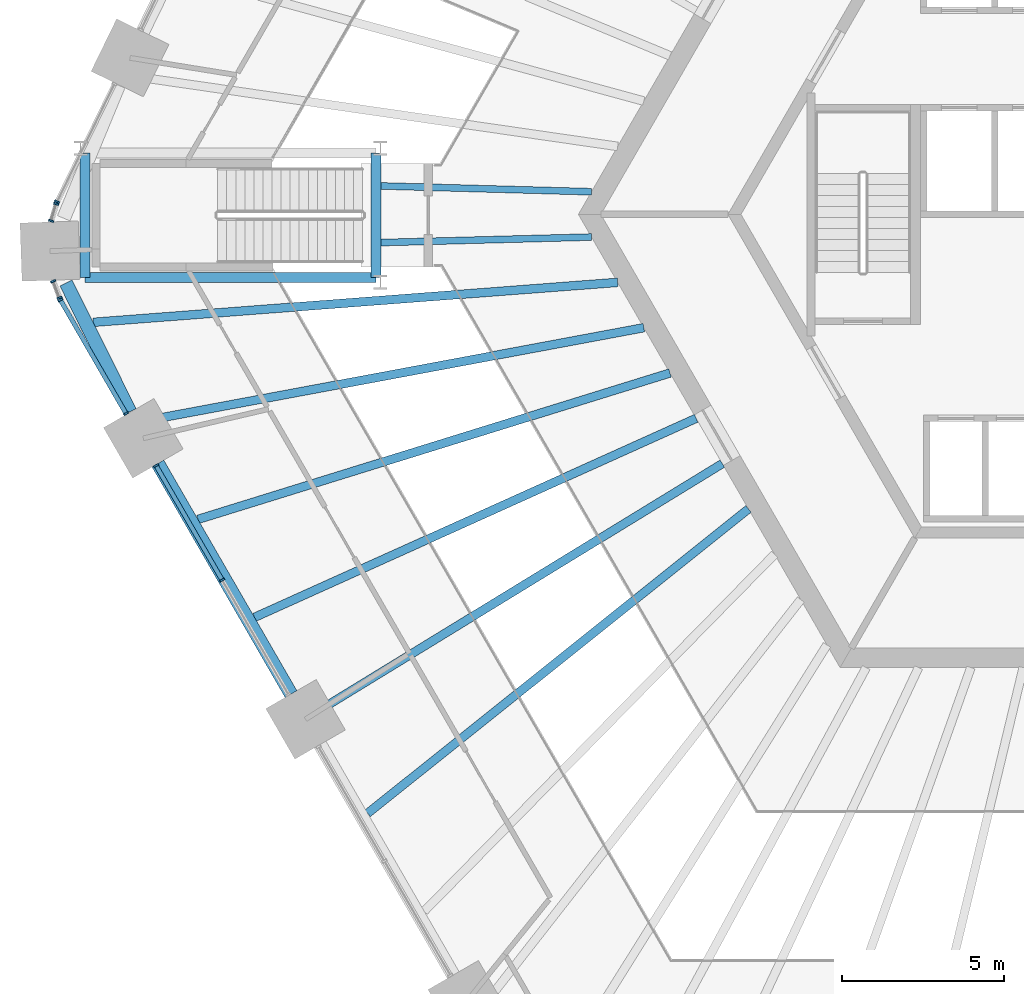
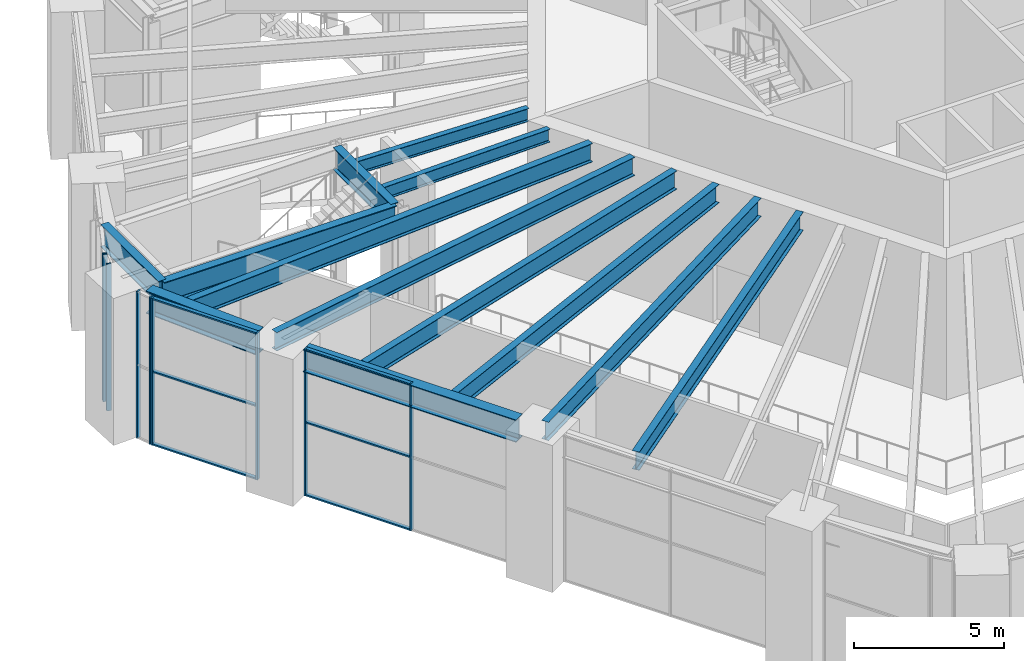
# One storey, part 4 of 32: 15 members, 13 beams, 5 elements without a shape of their own.
"""IFC4 building model written with IfcOpenShell, lengths in metres."""

import ifcopenshell
import ifcopenshell.guid

model = None  # the IFC model being written
_history = None  # IfcOwnerHistory: only IFC2X3 demands one
_inside = {}  # id of a spatial element -> (the spatial element, [elements in it])
_under = {}  # id of a project, library or spatial element -> (it, [spatial elements below it])
_declared = {}  # id of a project -> (the project, [libraries it declares])
_typed = {}  # id of a type object -> (the type object, [elements of that type])
_made_of = {}  # id of a material, layer set ... -> (it, [elements and type objects made of it])


def new_model(schema):
    """Start an empty IFC model of exactly this schema.

    Asked for "IFC4X3", IfcOpenShell would pick the latest addendum, in which some entities
    have other attributes; the version numbers below select the first issue.
    IFC2X3 requires an IfcOwnerHistory on every rooted entity: one is made here for all.
    """
    global model, _history
    if schema == "IFC4X3":
        model = ifcopenshell.file(schema_version=(4, 3, 0, 0))
    else:
        model = ifcopenshell.file(schema=schema)
    _inside.clear()
    _under.clear()
    _declared.clear()
    _typed.clear()
    _made_of.clear()
    _history = None
    if model.schema == "IFC2X3":
        org = make("IfcOrganization", Name="unknown")
        user = make(
            "IfcPersonAndOrganization",
            ThePerson=make("IfcPerson", FamilyName="unknown"),
            TheOrganization=org,
        )
        app = make(
            "IfcApplication",
            ApplicationDeveloper=org,
            Version="unknown",
            ApplicationFullName="unknown",
            ApplicationIdentifier="unknown",
        )
        _history = make(
            "IfcOwnerHistory",
            OwningUser=user,
            OwningApplication=app,
            ChangeAction="ADDED",
            CreationDate=0,
        )
    return model


def make(cls, **values):
    """One entity of the class cls with the attributes given. An attribute that is None is left unset."""
    return model.create_entity(
        cls, **{name: value for name, value in values.items() if value is not None}
    )


def rooted(cls, **values):
    """An entity with a GlobalId (a new one), such as an element, a storey or a relation."""
    return make(cls, GlobalId=ifcopenshell.guid.new(), OwnerHistory=_history, **values)


def si_unit(unit_type, name, prefix=None):
    """IfcSIUnit, for example si_unit("LENGTHUNIT", "METRE", prefix="MILLI")."""
    return make("IfcSIUnit", UnitType=unit_type, Prefix=prefix, Name=name)


def assignment(units):
    """IfcUnitAssignment: the units of a project."""
    return None if units is None else make("IfcUnitAssignment", Units=units)


def point(xyz):
    """IfcCartesianPoint."""
    return None if xyz is None else make("IfcCartesianPoint", Coordinates=xyz)


def direction(xyz):
    """IfcDirection."""
    return None if xyz is None else make("IfcDirection", DirectionRatios=xyz)


def frame(location, z_axis=None, x_axis=None):
    """IfcAxis2Placement3D, a coordinate frame: its origin and axes. An axis left out is left unset."""
    return make(
        "IfcAxis2Placement3D",
        Location=point(location),
        Axis=direction(z_axis),
        RefDirection=direction(x_axis),
    )


def frame_2d(location, x_axis=None):
    """IfcAxis2Placement2D, a coordinate frame in the plane: its origin and x axis."""
    return make(
        "IfcAxis2Placement2D", Location=point(location), RefDirection=direction(x_axis)
    )


def origin():
    """The frame at (0, 0, 0) with its axes left unset."""
    return frame((0.0, 0.0, 0.0))


def origin_2d():
    """The frame at (0, 0) in the plane with its x axis left unset."""
    return frame_2d((0.0, 0.0))


def place(relative_to, where):
    """IfcLocalPlacement: puts the frame where relative to a parent placement (None: the world)."""
    return make(
        "IfcLocalPlacement", PlacementRelTo=relative_to, RelativePlacement=where
    )


def context(
    kind, dimensions, precision=None, world=None, true_north=None, identifier=None
):
    """IfcGeometricRepresentationContext, for example the 3D "Model" context."""
    return make(
        "IfcGeometricRepresentationContext",
        ContextIdentifier=identifier,
        ContextType=kind,
        CoordinateSpaceDimension=dimensions,
        Precision=precision,
        WorldCoordinateSystem=world,
        TrueNorth=true_north,
    )


def subcontext(parent, identifier, kind, view, scale=None):
    """IfcGeometricRepresentationSubContext, for example "Body" below "Model"."""
    return make(
        "IfcGeometricRepresentationSubContext",
        ContextIdentifier=identifier,
        ContextType=kind,
        ParentContext=parent,
        TargetScale=scale,
        TargetView=view,
    )


def project(units=None, contexts=None):
    """IfcProject with its units and contexts."""
    return rooted(
        "IfcProject",
        Name="project",
        RepresentationContexts=contexts,
        UnitsInContext=assignment(units),
    )


def spatial(cls, under=None, at=None, **own):
    """A site, building, storey or space (cls), placed at a placement, below another one or the project."""
    s = rooted(cls, ObjectPlacement=at, **own)
    if under is not None:
        _under.setdefault(under.id(), (under, []))[1].append(s)
    return s


def profile(cls, at=None, kind="AREA", **sizes):
    """A parametric profile (cls). Its sizes go by their IFC names, for example OverallWidth=200.0."""
    return make(cls, ProfileType=kind, Position=at, **sizes)


def rectangle(**sizes):
    """IfcRectangleProfileDef."""
    return profile("IfcRectangleProfileDef", **sizes)


def i_section(**sizes):
    """IfcIShapeProfileDef."""
    return profile("IfcIShapeProfileDef", **sizes)


def extrude(swept, where, along, depth):
    """IfcExtrudedAreaSolid: the profile swept, set in the frame where, extruded along a direction by depth."""
    return make(
        "IfcExtrudedAreaSolid",
        SweptArea=swept,
        Position=where,
        ExtrudedDirection=direction(along),
        Depth=depth,
    )


def shape(context_of_items, identifier, shape_type, items):
    """IfcShapeRepresentation: the items that make up one representation, for example the "Body"."""
    return make(
        "IfcShapeRepresentation",
        ContextOfItems=context_of_items,
        RepresentationIdentifier=identifier,
        RepresentationType=shape_type,
        Items=items,
    )


def material(Name=None, Category=None):
    """IfcMaterial."""
    return make("IfcMaterial", Name=Name, Category=Category)


def material_profile(
    of_material, cross_section, Name=None, Category=None, Priority=None
):
    """IfcMaterialProfile: a cross section and its material."""
    return make(
        "IfcMaterialProfile",
        Name=Name,
        Material=of_material,
        Profile=cross_section,
        Priority=Priority,
        Category=Category,
    )


def profile_set(profiles, Name=None, composite=None):
    """IfcMaterialProfileSet."""
    return make(
        "IfcMaterialProfileSet",
        Name=Name,
        MaterialProfiles=profiles,
        CompositeProfile=composite,
    )


def made_of(thing, what):
    """Note that an element or type object is made of a material, layer set ...; save() writes the relation."""
    if what is not None:
        _made_of.setdefault(what.id(), (what, []))[1].append(thing)
    return thing


def type_object(cls, material=None, **own):
    """A type object (cls), such as IfcWallType, which elements share."""
    return made_of(rooted(cls, **own), material)


def element(
    cls,
    number,
    at=None,
    inside=None,
    cuts=None,
    type_object=None,
    material=None,
    context=None,
    identifier="Body",
    shape_type=None,
    held_by="IfcProductDefinitionShape",
    body=None,
    shapes=None,
    **own,
):
    """One element of the class cls, such as IfcWall. Its Tag is "e" and its number.

    at: its placement. inside: the storey or other place that contains it. cuts: it is an
    opening in that element (IfcRelVoidsElement). A single representation is given by context,
    identifier, shape_type and body (its items); several are given by shapes. held_by: the class
    of the entity that holds the representations. save() writes the other relations.
    """
    e = rooted(cls, Tag="e%d" % number, ObjectPlacement=at, **own)
    if body is not None:
        shapes = [shape(context, identifier, shape_type, body)]
    if shapes is not None:
        e.Representation = make(held_by, Representations=shapes)
    if inside is not None:
        _inside.setdefault(inside.id(), (inside, []))[1].append(e)
    if cuts is not None:
        rooted(
            "IfcRelVoidsElement", RelatingBuildingElement=cuts, RelatedOpeningElement=e
        )
    if type_object is not None:
        _typed.setdefault(type_object.id(), (type_object, []))[1].append(e)
    return made_of(e, material)


def aggregate(whole, parts):
    """IfcRelAggregates: a whole, such as a stair, and the parts it consists of."""
    return rooted("IfcRelAggregates", RelatingObject=whole, RelatedObjects=parts)


def save(model, path):
    """Write the relations noted so far, then the file.

    IfcRelAggregates (storeys below a building ...), IfcRelContainedInSpatialStructure (elements
    in a storey), IfcRelDefinesByType, IfcRelAssociatesMaterial and IfcRelDeclares: one each for
    every whole, place, type object, material and project.
    """
    for whole, parts in _under.values():
        aggregate(whole, parts)
    for where, things in _inside.values():
        rooted(
            "IfcRelContainedInSpatialStructure",
            RelatedElements=things,
            RelatingStructure=where,
        )
    for kind, things in _typed.values():
        rooted("IfcRelDefinesByType", RelatedObjects=things, RelatingType=kind)
    for what, things in _made_of.values():
        rooted("IfcRelAssociatesMaterial", RelatedObjects=things, RelatingMaterial=what)
    for by, libraries in _declared.values():
        rooted("IfcRelDeclares", RelatingContext=by, RelatedDefinitions=libraries)
    model.write(path)


model = new_model("IFC4")

# Units and contexts
model_context = context("Model", 3, precision=1e-05, world=origin(), true_north=direction((0.0, 1.0)))
body_context = subcontext(model_context, "Body", "Model", "MODEL_VIEW")
ifc_project = project(units=[si_unit("LENGTHUNIT", "METRE"), si_unit("AREAUNIT", "SQUARE_METRE"), si_unit("VOLUMEUNIT", "CUBIC_METRE"), si_unit("PLANEANGLEUNIT", "RADIAN"), si_unit("MASSUNIT", "GRAM", prefix="KILO")], contexts=[model_context])

# Site, building, storey
site_placement = place(None, origin())
site = spatial("IfcSite", under=ifc_project, at=site_placement, CompositionType="ELEMENT")
building_placement = place(site_placement, origin())
building = spatial("IfcBuilding", under=site, at=building_placement, Name="Tarnside Tower", CompositionType="ELEMENT")
storey_placement = place(building_placement, frame((0.0, 0.0, 9.0)))
storey = spatial("IfcBuildingStorey", under=building, at=storey_placement, Name="L01", CompositionType="ELEMENT", Elevation=9.0)

# Beams
ifc_material_1 = material(Name="Steel S355", Category="steel")
ifc_material_profile_1 = material_profile(ifc_material_1, i_section(OverallWidth=0.209228515625, OverallDepth=0.533203125, WebThickness=0.010009765625, FlangeThickness=0.015625, FilletRadius=0.0126953125, at=origin_2d()), Name="UB 533x210x92")
ifc_profile_set_1 = profile_set([ifc_material_profile_1], Name="Steel S355")
beam_type_1 = type_object("IfcBeamType", Name="Floor beam UB 533x210x92", PredefinedType="BEAM", material=ifc_profile_set_1)
beam_1_placement = place(storey_placement, frame((-22.272216796875, 0.87890625, 5.4833984375), z_axis=(0.999622442049, -0.027476778416, 0.0), x_axis=(0.027476778416, 0.999622442049, 0.0)))
element("IfcBeam", 1, at=beam_1_placement, inside=storey, type_object=beam_type_1, Name="Floor beam F2.09", PredefinedType="BEAM", context=body_context, shape_type="SweptSolid", body=[
    extrude(i_section(OverallWidth=0.209228515625, OverallDepth=0.533203125, WebThickness=0.010009765625, FlangeThickness=0.015625, FilletRadius=0.0126953125, at=origin_2d()), origin(), (0.0, 0.0, 1.0), 6.512939453125),
])
beam_2_placement = place(storey_placement, frame((-22.272216796875, -0.87109375, 5.4833984375), z_axis=(0.99965467127, 0.026278093695, 0.0), x_axis=(-0.026278093695, 0.99965467127, 0.0)))
element("IfcBeam", 2, at=beam_2_placement, inside=storey, type_object=beam_type_1, Name="Floor beam C2", PredefinedType="BEAM", context=body_context, shape_type="SweptSolid", body=[
    extrude(i_section(OverallWidth=0.209228515625, OverallDepth=0.533203125, WebThickness=0.010009765625, FlangeThickness=0.015625, FilletRadius=0.0126953125, at=origin_2d()), origin(), (0.0, 0.0, 1.0), 6.5126953125),
])
ifc_material_profile_2 = material_profile(ifc_material_1, i_section(OverallWidth=0.26513671875, OverallDepth=0.75390625, WebThickness=0.0126953125, FlangeThickness=0.017578125, FilletRadius=0.0166015625, at=origin_2d()), Name="UB 762x267x147")
ifc_profile_set_2 = profile_set([ifc_material_profile_2], Name="Steel S355")
beam_type_2 = type_object("IfcBeamType", Name="Floor beam UB 762x267x147", PredefinedType="BEAM", material=ifc_profile_set_2)
beam_3_placement = place(storey_placement, frame((-29.635498046875, -6.389892578125, 5.373046875), z_axis=(0.983039284809, 0.183395104955, 0.0), x_axis=(-0.183395104955, 0.983039284809, 0.0)))
element("IfcBeam", 3, at=beam_3_placement, inside=storey, type_object=beam_type_2, Name="Floor beam F3.02", PredefinedType="BEAM", context=body_context, shape_type="SweptSolid", body=[
    extrude(i_section(OverallWidth=0.26513671875, OverallDepth=0.75390625, WebThickness=0.0126953125, FlangeThickness=0.017578125, FilletRadius=0.0166015625, at=origin_2d()), origin(), (0.0, 0.0, 1.0), 15.7578125),
])
beam_4_placement = place(storey_placement, frame((-27.919189453125, -9.422119140625, 5.373046875), z_axis=(0.955125617377, 0.2962010382, 0.0), x_axis=(-0.2962010382, 0.955125617377, 0.0)))
element("IfcBeam", 4, at=beam_4_placement, inside=storey, type_object=beam_type_2, Name="Floor beam F3.03", PredefinedType="BEAM", context=body_context, shape_type="SweptSolid", body=[
    extrude(i_section(OverallWidth=0.26513671875, OverallDepth=0.75390625, WebThickness=0.0126953125, FlangeThickness=0.017578125, FilletRadius=0.0166015625, at=origin_2d()), origin(), (0.0, 0.0, 1.0), 15.267333984375),
])
beam_5_placement = place(storey_placement, frame((-26.171875, -12.44873046875, 5.373046875), z_axis=(0.911691503599, 0.410875409662, 0.0), x_axis=(-0.410875409662, 0.911691503599, 0.0)))
element("IfcBeam", 5, at=beam_5_placement, inside=storey, type_object=beam_type_2, Name="Floor beam F3.04", PredefinedType="BEAM", context=body_context, shape_type="SweptSolid", body=[
    extrude(i_section(OverallWidth=0.26513671875, OverallDepth=0.75390625, WebThickness=0.0126953125, FlangeThickness=0.017578125, FilletRadius=0.0166015625, at=origin_2d()), origin(), (0.0, 0.0, 1.0), 14.96484375),
])
beam_6_placement = place(storey_placement, frame((-24.42431640625, -15.47509765625, 5.373046875), z_axis=(0.852937246249, 0.522013461475, 0.0), x_axis=(-0.522013461475, 0.852937246249, 0.0)))
element("IfcBeam", 6, at=beam_6_placement, inside=storey, type_object=beam_type_2, Name="Floor beam F3.05", PredefinedType="BEAM", context=body_context, shape_type="SweptSolid", body=[
    extrude(i_section(OverallWidth=0.26513671875, OverallDepth=0.75390625, WebThickness=0.0126953125, FlangeThickness=0.017578125, FilletRadius=0.0166015625, at=origin_2d()), origin(), (0.0, 0.0, 1.0), 14.89453125),
])
beam_7_placement = place(storey_placement, frame((-22.677001953125, -18.501708984375, 5.373046875), z_axis=(0.78120872965, 0.62426991015, 0.0), x_axis=(-0.62426991015, 0.78120872965, 0.0)))
element("IfcBeam", 7, at=beam_7_placement, inside=storey, type_object=beam_type_2, Name="Floor beam F3.06", PredefinedType="BEAM", context=body_context, shape_type="SweptSolid", body=[
    extrude(i_section(OverallWidth=0.26513671875, OverallDepth=0.75390625, WebThickness=0.0126953125, FlangeThickness=0.017578125, FilletRadius=0.0166015625, at=origin_2d()), origin(), (0.0, 0.0, 1.0), 15.06005859375),
])
ifc_material_profile_3 = material_profile(ifc_material_1, i_section(OverallWidth=0.2666015625, OverallDepth=0.76220703125, WebThickness=0.014404296875, FlangeThickness=0.021484375, FilletRadius=0.0166015625, at=origin_2d()), Name="UB 762x267x173")
ifc_profile_set_3 = profile_set([ifc_material_profile_3], Name="Steel S355")
beam_type_3 = type_object("IfcBeamType", Name="Floor beam UB 762x267x173", PredefinedType="BEAM", material=ifc_profile_set_3)
beam_8_placement = place(storey_placement, frame((-31.15625, -3.33447265625, 5.368896484375), z_axis=(0.997110688509, 0.075962325269, 0.0), x_axis=(-0.075962325269, 0.997110688509, 0.0)))
element("IfcBeam", 8, at=beam_8_placement, inside=storey, type_object=beam_type_3, Name="Floor beam F3.01", PredefinedType="BEAM", context=body_context, shape_type="SweptSolid", body=[
    extrude(i_section(OverallWidth=0.2666015625, OverallDepth=0.76220703125, WebThickness=0.014404296875, FlangeThickness=0.021484375, FilletRadius=0.0166015625, at=origin_2d()), origin(), (0.0, 0.0, 1.0), 16.249755859375),
])
ifc_material_profile_4 = material_profile(ifc_material_1, i_section(OverallWidth=0.3076171875, OverallDepth=0.926513671875, WebThickness=0.01953125, FlangeThickness=0.031982421875, FilletRadius=0.01904296875, at=origin_2d()), Name="UB 914x305x289")
ifc_profile_set_4 = profile_set([ifc_material_profile_4], Name="Steel S355")
beam_type_4 = type_object("IfcBeamType", Name="Perimeter girder UB 914x305x289", PredefinedType="BEAM", material=ifc_profile_set_4)
for number, where, z_axis, x_axis, name in (
    (9, (-31.40380859375, -1.953857421875, 5.28662109375), (0.0, 1.0, 0.0), (-1.0, 0.0, 0.0), "Perimeter girder T5"),
    (10, (-22.426025390625, 1.90380859375, 5.28662109375), (0.0, -1.0, 0.0), (1.0, 0.0, 0.0), "Perimeter girder T7"),
):
    element("IfcBeam", number, at=place(storey_placement, frame(where, z_axis=z_axis, x_axis=x_axis)), inside=storey, type_object=beam_type_4, Name=name, PredefinedType="BEAM", context=body_context, shape_type="SweptSolid", body=[
        extrude(i_section(OverallWidth=0.3076171875, OverallDepth=0.926513671875, WebThickness=0.01953125, FlangeThickness=0.031982421875, FilletRadius=0.01904296875, at=origin_2d()), origin(), (0.0, 0.0, 1.0), 3.857666015625),
    ])
beam_9_placement = place(storey_placement, frame((-22.426025390625, -1.953857421875, 5.28662109375), z_axis=(-1.0, 0.0, 0.0), x_axis=(0.0, -1.0, 0.0)))
element("IfcBeam", 11, at=beam_9_placement, inside=storey, type_object=beam_type_4, Name="Perimeter girder T8", PredefinedType="BEAM", context=body_context, shape_type="SweptSolid", body=[
    extrude(i_section(OverallWidth=0.3076171875, OverallDepth=0.926513671875, WebThickness=0.01953125, FlangeThickness=0.031982421875, FilletRadius=0.01904296875, at=origin_2d()), origin(), (0.0, 0.0, 1.0), 8.977783203125),
])
ifc_material_2 = material(Name="Steel S460", Category="steel")
ifc_material_profile_5 = material_profile(ifc_material_2, i_section(OverallWidth=0.42041015625, OverallDepth=0.9208984375, WebThickness=0.021484375, FlangeThickness=0.03662109375, FilletRadius=0.024169921875, at=origin_2d()), Name="UB 914x419x388")
ifc_profile_set_5 = profile_set([ifc_material_profile_5], Name="Steel S460")
beam_type_5 = type_object("IfcBeamType", Name="Perimeter girder UB 914x419x388", PredefinedType="BEAM", material=ifc_profile_set_5)
beam_10_placement = place(storey_placement, frame((-31.995849609375, -2.119140625, 5.28955078125), z_axis=(0.44551934757, -0.895272311055, 0.0), x_axis=(0.895272311055, 0.44551934757, 0.0)))
element("IfcBeam", 12, at=beam_10_placement, inside=storey, type_object=beam_type_5, Name="Perimeter girder M08", PredefinedType="BEAM", context=body_context, shape_type="SweptSolid", body=[
    extrude(i_section(OverallWidth=0.42041015625, OverallDepth=0.9208984375, WebThickness=0.021484375, FlangeThickness=0.03662109375, FilletRadius=0.024169921875, at=origin_2d()), origin(), (0.0, 0.0, 1.0), 4.4404296875),
])
beam_11_placement = place(storey_placement, frame((-29.15771484375, -7.697509765625, 5.28955078125), z_axis=(0.500002567197, -0.866023921607, 0.0), x_axis=(0.866023921607, 0.500002567197, 0.0)))
element("IfcBeam", 13, at=beam_11_placement, inside=storey, type_object=beam_type_5, Name="Perimeter girder M09", PredefinedType="BEAM", context=body_context, shape_type="SweptSolid", body=[
    extrude(i_section(OverallWidth=0.42041015625, OverallDepth=0.9208984375, WebThickness=0.021484375, FlangeThickness=0.03662109375, FilletRadius=0.024169921875, at=origin_2d()), origin(), (0.0, 0.0, 1.0), 8.2236328125),
])

# Curtain wall, member
ifc_material_3 = material(Name="Retail shopfront glazing wall", Category="glass")
curtain_wall_type = type_object("IfcCurtainWallType", Name="Retail shopfront glazing wall", PredefinedType="NOTDEFINED", material=ifc_material_3)
curtain_wall_1_placement = place(storey_placement, origin())
curtain_wall_1 = element("IfcCurtainWall", 14, at=curtain_wall_1_placement, inside=storey, type_object=curtain_wall_type, Name="Retail shopfront glazing L01 06.0", PredefinedType="NOTDEFINED")
ifc_material_4 = material(Name="Aluminium alloy 6063", Category="aluminium")
ifc_material_profile_6 = material_profile(ifc_material_4, rectangle(XDim=0.159912109375, YDim=0.06005859375, at=origin_2d()), Name="Retail shopfront glazing mullion 60 x 160")
ifc_profile_set_6 = profile_set([ifc_material_profile_6], Name="Aluminium alloy 6063")
member_type_1 = type_object("IfcMemberType", Name="Retail shopfront glazing mullion 60 x 160", PredefinedType="MULLION", material=ifc_profile_set_6)
member_1_placement = place(storey_placement, frame((-32.27392578125, 0.393310546875, -0.25), z_axis=(0.0, 0.0, 1.0), x_axis=(0.898794046314, -0.438371146758, 0.0)))
member_1 = element("IfcMember", 15, at=member_1_placement, type_object=member_type_1, Name="CW2 mullion 2", PredefinedType="MULLION", context=body_context, shape_type="SweptSolid", body=[
    extrude(rectangle(XDim=0.159912109375, YDim=0.06005859375, at=origin_2d()), origin(), (0.0, 0.0, 1.0), 6.0),
])
aggregate(curtain_wall_1, [member_1])

# Curtain wall, members
curtain_wall_2_placement = place(storey_placement, origin())
curtain_wall_2 = element("IfcCurtainWall", 16, at=curtain_wall_2_placement, inside=storey, type_object=curtain_wall_type, Name="Retail shopfront glazing L01 06.1", PredefinedType="NOTDEFINED")
member_2_placement = place(storey_placement, frame((-32.30029296875, 0.325439453125, -0.25), z_axis=(0.0, 0.0, 1.0), x_axis=(0.957989512749, -0.286803231262, 0.0)))
member_2 = element("IfcMember", 17, at=member_2_placement, type_object=member_type_1, Name="CW2 mullion 1", PredefinedType="MULLION", context=body_context, shape_type="SweptSolid", body=[
    extrude(rectangle(XDim=0.159912109375, YDim=0.06005859375, at=origin_2d()), origin(), (0.0, 0.0, 1.0), 6.0),
])
member_3_placement = place(storey_placement, frame((-32.45751953125, -0.19970703125, -0.25), z_axis=(0.0, 0.0, 1.0), x_axis=(0.957989512749, -0.286803231262, 0.0)))
member_3 = element("IfcMember", 18, at=member_3_placement, type_object=member_type_1, Name="CW2 mullion 2", PredefinedType="MULLION", context=body_context, shape_type="SweptSolid", body=[
    extrude(rectangle(XDim=0.159912109375, YDim=0.06005859375, at=origin_2d()), origin(), (0.0, 0.0, 1.0), 6.0),
])
aggregate(curtain_wall_2, [member_2, member_3])

curtain_wall_3_placement = place(storey_placement, origin())
curtain_wall_3 = element("IfcCurtainWall", 19, at=curtain_wall_3_placement, inside=storey, type_object=curtain_wall_type, Name="Retail shopfront glazing L01 07.0", PredefinedType="NOTDEFINED")
member_4_placement = place(storey_placement, frame((-32.392578125, -2.06494140625, -0.25), z_axis=(0.0, 0.0, 1.0), x_axis=(0.935649516189, 0.352930563788, 0.0)))
member_4 = element("IfcMember", 20, at=member_4_placement, type_object=member_type_1, Name="CW2 mullion 1", PredefinedType="MULLION", context=body_context, shape_type="SweptSolid", body=[
    extrude(rectangle(XDim=0.159912109375, YDim=0.06005859375, at=origin_2d()), origin(), (0.0, 0.0, 1.0), 6.0),
])
member_5_placement = place(storey_placement, frame((-32.198974609375, -2.577880859375, -0.25), z_axis=(0.0, 0.0, 1.0), x_axis=(0.935649516189, 0.352930563788, 0.0)))
member_5 = element("IfcMember", 21, at=member_5_placement, type_object=member_type_1, Name="CW2 mullion 2", PredefinedType="MULLION", context=body_context, shape_type="SweptSolid", body=[
    extrude(rectangle(XDim=0.159912109375, YDim=0.06005859375, at=origin_2d()), origin(), (0.0, 0.0, 1.0), 6.0),
])
aggregate(curtain_wall_3, [member_4, member_5])

curtain_wall_4_placement = place(storey_placement, origin())
curtain_wall_4 = element("IfcCurtainWall", 22, at=curtain_wall_4_placement, inside=storey, type_object=curtain_wall_type, Name="Retail shopfront glazing L01 07.1", PredefinedType="NOTDEFINED")
member_6_placement = place(storey_placement, frame((-32.167724609375, -2.6435546875, -0.25), z_axis=(0.0, 0.0, 1.0), x_axis=(0.866025403767, 0.50000000003, 0.0)))
member_6 = element("IfcMember", 23, at=member_6_placement, type_object=member_type_1, Name="CW2 mullion 1", PredefinedType="MULLION", context=body_context, shape_type="SweptSolid", body=[
    extrude(rectangle(XDim=0.159912109375, YDim=0.06005859375, at=origin_2d()), origin(), (0.0, 0.0, 1.0), 6.0),
])
member_7_placement = place(storey_placement, frame((-30.141845703125, -6.152587890625, -0.25), z_axis=(0.0, 0.0, 1.0), x_axis=(0.866025403767, 0.50000000003, 0.0)))
member_7 = element("IfcMember", 24, at=member_7_placement, type_object=member_type_1, Name="CW2 mullion 2", PredefinedType="MULLION", context=body_context, shape_type="SweptSolid", body=[
    extrude(rectangle(XDim=0.159912109375, YDim=0.06005859375, at=origin_2d()), origin(), (0.0, 0.0, 1.0), 6.0),
])

curtain_wall_5_placement = place(storey_placement, origin())
curtain_wall_5 = element("IfcCurtainWall", 25, at=curtain_wall_5_placement, inside=storey, type_object=curtain_wall_type, Name="Retail shopfront glazing L01 08.0", PredefinedType="NOTDEFINED")
member_8_placement = place(storey_placement, frame((-29.2119140625, -7.763427734375, -0.25), z_axis=(0.0, 0.0, 1.0), x_axis=(0.866025403819, 0.49999999994, 0.0)))
member_8 = element("IfcMember", 26, at=member_8_placement, type_object=member_type_1, Name="CW2 mullion 1", PredefinedType="MULLION", context=body_context, shape_type="SweptSolid", body=[
    extrude(rectangle(XDim=0.159912109375, YDim=0.06005859375, at=origin_2d()), origin(), (0.0, 0.0, 1.0), 6.0),
])
member_9_placement = place(storey_placement, frame((-27.1708984375, -11.29833984375, -0.25), z_axis=(0.0, 0.0, 1.0), x_axis=(0.866025403819, 0.49999999994, 0.0)))
member_9 = element("IfcMember", 27, at=member_9_placement, type_object=member_type_1, Name="CW2 mullion 2", PredefinedType="MULLION", context=body_context, shape_type="SweptSolid", body=[
    extrude(rectangle(XDim=0.159912109375, YDim=0.06005859375, at=origin_2d()), origin(), (0.0, 0.0, 1.0), 6.0),
])

# Member
ifc_material_profile_7 = material_profile(ifc_material_4, rectangle(XDim=0.139892578125, YDim=0.06005859375, at=origin_2d()), Name="Retail shopfront glazing transom 60 x 140")
ifc_profile_set_7 = profile_set([ifc_material_profile_7], Name="Aluminium alloy 6063")
member_type_2 = type_object("IfcMemberType", Name="Retail shopfront glazing transom 60 x 140", PredefinedType="USERDEFINED", material=ifc_profile_set_7)
member_10_placement = place(storey_placement, frame((-32.15283203125, -2.669677734375, -0.219970703125), z_axis=(0.499987164874, -0.866032814021, 0.0), x_axis=(0.866032814021, 0.499987164874, 0.0)))
member_10 = element("IfcMember", 28, at=member_10_placement, type_object=member_type_2, Name="CW2 transom 1.1", ObjectType="TRANSOM", PredefinedType="USERDEFINED", context=body_context, shape_type="SweptSolid", body=[
    extrude(rectangle(XDim=0.139892578125, YDim=0.06005859375, at=origin_2d()), origin(), (0.0, 0.0, 1.0), 3.99169921875),
])

member_11_placement = place(storey_placement, frame((-32.15283203125, -2.669677734375, 2.75), z_axis=(0.499987164874, -0.866032814021, 0.0), x_axis=(0.866032814021, 0.499987164874, 0.0)))
member_11 = element("IfcMember", 29, at=member_11_placement, type_object=member_type_2, Name="CW2 transom 1.2", ObjectType="TRANSOM", PredefinedType="USERDEFINED", context=body_context, shape_type="SweptSolid", body=[
    extrude(rectangle(XDim=0.139892578125, YDim=0.06005859375, at=origin_2d()), origin(), (0.0, 0.0, 1.0), 3.99169921875),
])

member_12_placement = place(storey_placement, frame((-32.15283203125, -2.669677734375, 5.719970703125), z_axis=(0.499987164874, -0.866032814021, 0.0), x_axis=(0.866032814021, 0.499987164874, 0.0)))
member_12 = element("IfcMember", 30, at=member_12_placement, type_object=member_type_2, Name="CW2 transom 1.3", ObjectType="TRANSOM", PredefinedType="USERDEFINED", context=body_context, shape_type="SweptSolid", body=[
    extrude(rectangle(XDim=0.139892578125, YDim=0.06005859375, at=origin_2d()), origin(), (0.0, 0.0, 1.0), 3.99169921875),
])

aggregate(curtain_wall_4, [member_6, member_7, member_10, member_11, member_12])

member_13_placement = place(storey_placement, frame((-29.197021484375, -7.78955078125, -0.219970703125), z_axis=(0.500023722852, -0.866011706956, 0.0), x_axis=(0.866011706956, 0.500023722852, 0.0)))
member_13 = element("IfcMember", 31, at=member_13_placement, type_object=member_type_2, Name="CW2 transom 1.1", ObjectType="TRANSOM", PredefinedType="USERDEFINED", context=body_context, shape_type="SweptSolid", body=[
    extrude(rectangle(XDim=0.139892578125, YDim=0.06005859375, at=origin_2d()), origin(), (0.0, 0.0, 1.0), 4.021728515625),
])

member_14_placement = place(storey_placement, frame((-29.197021484375, -7.78955078125, 2.75), z_axis=(0.500023722852, -0.866011706956, 0.0), x_axis=(0.866011706956, 0.500023722852, 0.0)))
member_14 = element("IfcMember", 32, at=member_14_placement, type_object=member_type_2, Name="CW2 transom 1.2", ObjectType="TRANSOM", PredefinedType="USERDEFINED", context=body_context, shape_type="SweptSolid", body=[
    extrude(rectangle(XDim=0.139892578125, YDim=0.06005859375, at=origin_2d()), origin(), (0.0, 0.0, 1.0), 4.021728515625),
])

member_15_placement = place(storey_placement, frame((-29.197021484375, -7.78955078125, 5.719970703125), z_axis=(0.500023722852, -0.866011706956, 0.0), x_axis=(0.866011706956, 0.500023722852, 0.0)))
member_15 = element("IfcMember", 33, at=member_15_placement, type_object=member_type_2, Name="CW2 transom 1.3", ObjectType="TRANSOM", PredefinedType="USERDEFINED", context=body_context, shape_type="SweptSolid", body=[
    extrude(rectangle(XDim=0.139892578125, YDim=0.06005859375, at=origin_2d()), origin(), (0.0, 0.0, 1.0), 4.021728515625),
])

aggregate(curtain_wall_5, [member_8, member_9, member_13, member_14, member_15])

save(model, "model.ifc")
